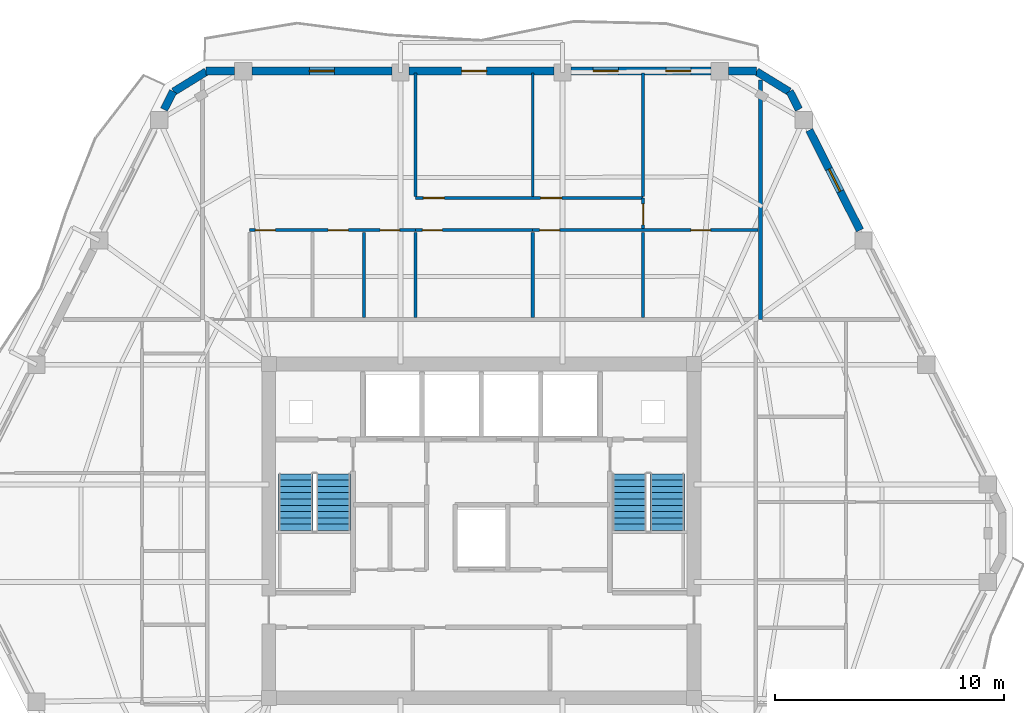
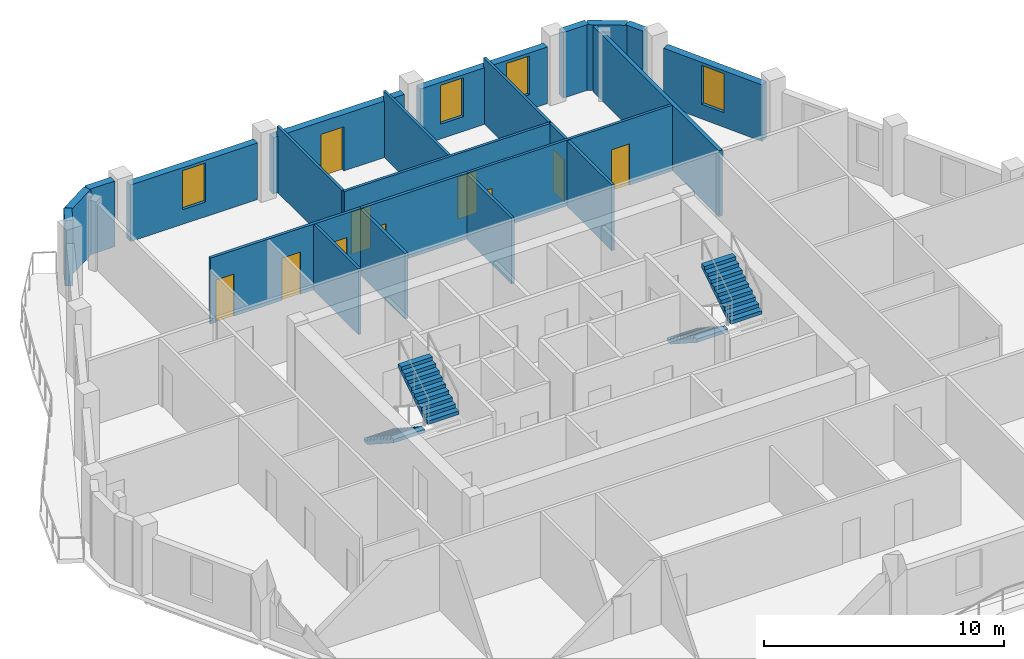
# One storey, part 7 of 9: 23 walls, 10 doors, 4 stair flights, 4 windows, 14 openings, 2 elements without a shape of their own.
"""IFC4 building model written with IfcOpenShell, lengths in metres."""

from ifc_helpers import new_model, si_unit, direction, frame, frame_2d, origin, place, context, subcontext, project, spatial, polyline, rectangle, outline, extrude, material, layer, layer_set, type_object, element, fill, aggregate, save


model = new_model("IFC4")

# Units and contexts
model_context = context("Model", 3, precision=1e-05, world=origin(), true_north=direction((0.0, 1.0)))
body_context = subcontext(model_context, "Body", "Model", "MODEL_VIEW")
ifc_project = project(units=[si_unit("LENGTHUNIT", "METRE"), si_unit("AREAUNIT", "SQUARE_METRE"), si_unit("VOLUMEUNIT", "CUBIC_METRE"), si_unit("PLANEANGLEUNIT", "RADIAN"), si_unit("MASSUNIT", "GRAM", prefix="KILO")], contexts=[model_context])

# Site, building, storey
site_placement = place(None, origin())
site = spatial("IfcSite", under=ifc_project, at=site_placement, CompositionType="ELEMENT")
building_placement = place(site_placement, origin())
building = spatial("IfcBuilding", under=site, at=building_placement, Name="Cinnabar Lancet Tower", CompositionType="ELEMENT")
storey_placement = place(building_placement, frame((0.0, 0.0, 207.39990234375)))
storey = spatial("IfcBuildingStorey", under=building, at=storey_placement, Name="L55", CompositionType="ELEMENT", Elevation=207.39990234375)

# Wall
ifc_material_1 = material(Name="Fire-rated twin-frame acoustic drywall", Category="gypsum")
ifc_layer_1 = layer(ifc_material_1, 0.179931640625)
ifc_layer_set_1 = layer_set([ifc_layer_1], Name="Fire-rated twin-frame acoustic drywall")
wall_type_1 = type_object("IfcWallType", Name="ARC-WL-PARTY-180", PredefinedType="PARTITIONING", material=ifc_layer_set_1)
wall_1_placement = place(storey_placement, frame((44.60009765625, 35.14990234375, 0.0), z_axis=(0.0, 0.0, 1.0), x_axis=(0.0, 1.0, 0.0)))
element("IfcWall", 1, at=wall_1_placement, inside=storey, type_object=wall_type_1, Name="PW-L55-NPTY-446", PredefinedType="PARTITIONING", context=body_context, shape_type="SweptSolid", body=[
    extrude(rectangle(XDim=10.482177734375, YDim=0.179931640625, at=frame_2d((5.2412109375, 0.0))), origin(), (0.0, 0.0, 1.0), 3.35009765625),
])

# Wall, openings, doors
ifc_material_2 = material(Name="Gypsum plasterboard stud partition", Category="gypsum")
ifc_layer_2 = layer(ifc_material_2, 0.125)
ifc_layer_set_2 = layer_set([ifc_layer_2], Name="Gypsum plasterboard stud partition")
wall_type_2 = type_object("IfcWallType", Name="ARC-WL-UNIT-125", PredefinedType="PARTITIONING", material=ifc_layer_set_2)
wall_2_placement = place(storey_placement, frame((34.64306640625, 39.06201171875, 0.0), z_axis=(0.0, 0.0, 1.0), x_axis=(1.0, 0.0, 0.0)))
wall_2 = element("IfcWall", 2, at=wall_2_placement, inside=storey, type_object=wall_type_2, Name="UW-L55-N01-SP2", PredefinedType="PARTITIONING", context=body_context, shape_type="SweptSolid", body=[
    extrude(rectangle(XDim=9.86181640625, YDim=0.125, at=frame_2d((4.930908203125, 0.0))), origin(), (0.0, 0.0, 1.0), 3.35009765625),
])
opening_1_placement = place(wall_2_placement, frame((6.919921875, 0.0, 0.0)))
opening_1 = element("IfcOpeningElement", 3, at=opening_1_placement, cuts=wall_2, Name="Opening BD-01", PredefinedType="OPENING", context=body_context, shape_type="SweptSolid", body=[
    extrude(rectangle(XDim=0.860107421875, YDim=2.10009765625, at=frame_2d((0.43017578125, 1.050048828125))), frame((0.0, 0.072509765625, 0.0), z_axis=(0.0, -1.0, 0.0), x_axis=(1.0, 0.0, 0.0)), (0.0, 0.0, 1.0), 0.14501953125),
])
opening_2_placement = place(wall_2_placement, frame((0.300048828125, 0.0, 0.0)))
opening_2 = element("IfcOpeningElement", 4, at=opening_2_placement, cuts=wall_2, Name="Opening RD-02", PredefinedType="OPENING", context=body_context, shape_type="SweptSolid", body=[
    extrude(rectangle(XDim=0.8798828125, YDim=2.14990234375, at=frame_2d((0.43994140625, 1.074951171875))), frame((0.0, 0.072509765625, 0.0), z_axis=(0.0, -1.0, 0.0), x_axis=(1.0, 0.0, 0.0)), (0.0, 0.0, 1.0), 0.14501953125),
])
ifc_material_3 = material(Name="Moisture-resistant timber bathroom door", Category="wood")
door_type_1 = type_object("IfcDoorType", Name="ARC-DR-BATH", OperationType="NOTDEFINED", PredefinedType="DOOR", material=ifc_material_3)
door_1_placement = place(opening_1_placement, origin())
door_1 = element("IfcDoor", 5, at=door_1_placement, inside=storey, type_object=door_type_1, Name="DR-L55-N01-ENS", OperationType="SINGLE_SWING_RIGHT", OverallHeight=2.10009765625, OverallWidth=0.860107421875, PredefinedType="DOOR", context=body_context, shape_type="SweptSolid", body=[
    extrude(rectangle(XDim=0.860107421875, YDim=2.10009765625, at=frame_2d((0.43017578125, 1.050048828125))), frame((0.0, 0.02490234375, 0.0), z_axis=(0.0, -1.0, 0.0), x_axis=(1.0, 0.0, 0.0)), (0.0, 0.0, 1.0), 0.050048828125),
])
fill(opening_1, door_1)
ifc_material_4 = material(Name="Engineered timber study door", Category="wood")
door_type_2 = type_object("IfcDoorType", Name="ARC-DR-STUDY", OperationType="NOTDEFINED", PredefinedType="DOOR", material=ifc_material_4)
door_2_placement = place(opening_2_placement, origin())
door_2 = element("IfcDoor", 6, at=door_2_placement, inside=storey, type_object=door_type_2, Name="DR-L55-N01-DRS", OperationType="SINGLE_SWING_LEFT", OverallHeight=2.14990234375, OverallWidth=0.8798828125, PredefinedType="DOOR", context=body_context, shape_type="SweptSolid", body=[
    extrude(rectangle(XDim=0.8798828125, YDim=2.14990234375, at=frame_2d((0.43994140625, 1.074951171875))), frame((0.0, 0.02490234375, 0.0), z_axis=(0.0, -1.0, 0.0), x_axis=(1.0, 0.0, 0.0)), (0.0, 0.0, 1.0), 0.050048828125),
])
fill(opening_2, door_2)

# Walls
wall_3_placement = place(storey_placement, frame((27.261962890625, 35.235107421875, 0.0), z_axis=(0.0, 0.0, 1.0), x_axis=(0.0, 1.0, 0.0)))
element("IfcWall", 7, at=wall_3_placement, inside=storey, type_object=wall_type_2, Name="UW-L55-N01-STD", PredefinedType="PARTITIONING", context=body_context, shape_type="SweptSolid", body=[
    extrude(rectangle(XDim=3.721923828125, YDim=0.125, at=frame_2d((1.86083984375, 0.0))), origin(), (0.0, 0.0, 1.0), 3.35009765625),
])
wall_4_placement = place(storey_placement, frame((29.513916015625, 40.527099609375, 0.0), z_axis=(0.0, 0.0, 1.0), x_axis=(0.0, 1.0, 0.0)))
element("IfcWall", 8, at=wall_4_placement, inside=storey, type_object=wall_type_2, Name="UW-L55-N01-BD2W", PredefinedType="PARTITIONING", context=body_context, shape_type="SweptSolid", body=[
    extrude(rectangle(XDim=5.407958984375, YDim=0.125, at=frame_2d((2.7041015625, 0.0))), origin(), (0.0, 0.0, 1.0), 3.35009765625),
])

# Wall, openings, doors
wall_5_placement = place(storey_placement, frame((29.513916015625, 40.4619140625, 0.0), z_axis=(0.0, 0.0, 1.0), x_axis=(1.0, 0.0, 0.0)))
wall_5 = element("IfcWall", 9, at=wall_5_placement, inside=storey, type_object=wall_type_2, Name="UW-L55-N01-HLN", PredefinedType="PARTITIONING", context=body_context, shape_type="SweptSolid", body=[
    extrude(rectangle(XDim=9.95703125, YDim=0.125, at=frame_2d((4.978515625, 0.0))), origin(), (0.0, 0.0, 1.0), 3.35009765625),
])
opening_3_placement = place(wall_5_placement, frame((0.35009765625, 0.0, 0.0)))
opening_3 = element("IfcOpeningElement", 10, at=opening_3_placement, cuts=wall_5, Name="Opening RD-01", PredefinedType="OPENING", context=body_context, shape_type="SweptSolid", body=[
    extrude(rectangle(XDim=0.919921875, YDim=2.14990234375, at=frame_2d((0.4599609375, 1.074951171875))), frame((0.0, 0.072509765625, 0.0), z_axis=(0.0, -1.0, 0.0), x_axis=(1.0, 0.0, 0.0)), (0.0, 0.0, 1.0), 0.14501953125),
])
opening_4_placement = place(wall_5_placement, frame((5.47900390625, 0.0, 0.0)))
opening_4 = element("IfcOpeningElement", 11, at=opening_4_placement, cuts=wall_5, Name="Opening RD-01", PredefinedType="OPENING", context=body_context, shape_type="SweptSolid", body=[
    extrude(rectangle(XDim=0.919921875, YDim=2.14990234375, at=frame_2d((0.4599609375, 1.074951171875))), frame((0.0, 0.072509765625, 0.0), z_axis=(0.0, -1.0, 0.0), x_axis=(1.0, 0.0, 0.0)), (0.0, 0.0, 1.0), 0.14501953125),
])
ifc_material_5 = material(Name="Engineered timber bedroom door", Category="wood")
door_type_3 = type_object("IfcDoorType", Name="ARC-DR-ROOM", OperationType="NOTDEFINED", PredefinedType="DOOR", material=ifc_material_5)
door_3_placement = place(opening_3_placement, origin())
door_3 = element("IfcDoor", 12, at=door_3_placement, inside=storey, type_object=door_type_3, Name="DR-L55-N01-BD2", OperationType="SINGLE_SWING_RIGHT", OverallHeight=2.14990234375, OverallWidth=0.919921875, PredefinedType="DOOR", context=body_context, shape_type="SweptSolid", body=[
    extrude(rectangle(XDim=0.919921875, YDim=2.14990234375, at=frame_2d((0.4599609375, 1.074951171875))), frame((0.0, 0.02490234375, 0.0), z_axis=(0.0, -1.0, 0.0), x_axis=(1.0, 0.0, 0.0)), (0.0, 0.0, 1.0), 0.050048828125),
])
fill(opening_3, door_3)
door_4_placement = place(opening_4_placement, origin())
door_4 = element("IfcDoor", 13, at=door_4_placement, inside=storey, type_object=door_type_3, Name="DR-L55-N01-BD3", OperationType="SINGLE_SWING_LEFT", OverallHeight=2.14990234375, OverallWidth=0.919921875, PredefinedType="DOOR", context=body_context, shape_type="SweptSolid", body=[
    extrude(rectangle(XDim=0.919921875, YDim=2.14990234375, at=frame_2d((0.4599609375, 1.074951171875))), frame((0.0, 0.02490234375, 0.0), z_axis=(0.0, -1.0, 0.0), x_axis=(1.0, 0.0, 0.0)), (0.0, 0.0, 1.0), 0.050048828125),
])
fill(opening_4, door_4)

# Wall, opening, door
wall_6_placement = place(storey_placement, frame((39.470947265625, 39.132080078125, 0.0), z_axis=(0.0, 0.0, 1.0), x_axis=(0.0, 1.0, 0.0)))
wall_6 = element("IfcWall", 14, at=wall_6_placement, inside=storey, type_object=wall_type_2, Name="UW-L55-N01-MBE", PredefinedType="PARTITIONING", context=body_context, shape_type="SweptSolid", body=[
    extrude(rectangle(XDim=1.329833984375, YDim=0.125, at=frame_2d((0.6650390625, 0.0))), origin(), (0.0, 0.0, 1.0), 3.35009765625),
])
opening_5_placement = place(wall_6_placement, frame((0.159912109375, 0.0, 0.0)))
opening_5 = element("IfcOpeningElement", 15, at=opening_5_placement, cuts=wall_6, Name="Opening RD-01", PredefinedType="OPENING", context=body_context, shape_type="SweptSolid", body=[
    extrude(rectangle(XDim=0.919921875, YDim=2.14990234375, at=frame_2d((0.4599609375, 1.074951171875))), frame((0.0, 0.072509765625, 0.0), z_axis=(0.0, -1.0, 0.0), x_axis=(1.0, 0.0, 0.0)), (0.0, 0.0, 1.0), 0.14501953125),
])
door_5_placement = place(opening_5_placement, origin())
door_5 = element("IfcDoor", 16, at=door_5_placement, inside=storey, type_object=door_type_3, Name="DR-L55-N01-MBD", OperationType="SINGLE_SWING_RIGHT", OverallHeight=2.14990234375, OverallWidth=0.919921875, PredefinedType="DOOR", context=body_context, shape_type="SweptSolid", body=[
    extrude(rectangle(XDim=0.919921875, YDim=2.14990234375, at=frame_2d((0.4599609375, 1.074951171875))), frame((0.0, 0.02490234375, 0.0), z_axis=(0.0, -1.0, 0.0), x_axis=(1.0, 0.0, 0.0)), (0.0, 0.0, 1.0), 0.050048828125),
])
fill(opening_5, door_5)

# Walls
for number, where, z_axis, x_axis, name in (
    (17, (34.64306640625, 40.527099609375, 0.0), (0.0, 0.0, 1.0), (0.0, 1.0, 0.0), "UW-L55-N01-MB2W"),
    (18, (39.470947265625, 40.527099609375, 0.0), (0.0, 0.0, 1.0), (0.0, 1.0, 0.0), "UW-L55-N01-B23W"),
):
    element("IfcWall", number, at=place(storey_placement, frame(where, z_axis=z_axis, x_axis=x_axis)), inside=storey, type_object=wall_type_2, Name=name, PredefinedType="PARTITIONING", context=body_context, shape_type="SweptSolid", body=[
        extrude(rectangle(XDim=5.407958984375, YDim=0.125, at=frame_2d((2.7041015625, 0.0))), origin(), (0.0, 0.0, 1.0), 3.35009765625),
    ])

# Wall, openings, doors
ifc_material_6 = material(Name="Moisture-resistant cement-board plumbing wall", Category="masonry")
ifc_layer_3 = layer(ifc_material_6, 0.139892578125)
ifc_layer_set_3 = layer_set([ifc_layer_3], Name="Moisture-resistant cement-board plumbing wall")
wall_type_3 = type_object("IfcWallType", Name="ARC-WL-WET-140", PredefinedType="PLUMBINGWALL", material=ifc_layer_set_3)
wall_7_placement = place(storey_placement, frame((22.25, 39.06201171875, 0.0), z_axis=(0.0, 0.0, 1.0), x_axis=(1.0, 0.0, 0.0)))
wall_7 = element("IfcWall", 19, at=wall_7_placement, inside=storey, type_object=wall_type_3, Name="UW-L55-N01-SPL", PredefinedType="PLUMBINGWALL", context=body_context, shape_type="SweptSolid", body=[
    extrude(rectangle(XDim=7.263916015625, YDim=0.139892578125, at=frame_2d((3.6318359375, 0.0))), origin(), (0.0, 0.0, 1.0), 3.35009765625),
])
opening_6_placement = place(wall_7_placement, frame((5.712890625, 0.0, 0.0)))
opening_6 = element("IfcOpeningElement", 20, at=opening_6_placement, cuts=wall_7, Name="Opening BD-01", PredefinedType="OPENING", context=body_context, shape_type="SweptSolid", body=[
    extrude(rectangle(XDim=0.860107421875, YDim=2.10009765625, at=frame_2d((0.43017578125, 1.050048828125))), frame((0.0, 0.079833984375, 0.0), z_axis=(0.0, -1.0, 0.0), x_axis=(1.0, 0.0, 0.0)), (0.0, 0.0, 1.0), 0.159912109375),
])
opening_7_placement = place(wall_7_placement, frame((0.260009765625, 0.0, 0.0)))
opening_7 = element("IfcOpeningElement", 21, at=opening_7_placement, cuts=wall_7, Name="Opening RD-02", PredefinedType="OPENING", context=body_context, shape_type="SweptSolid", body=[
    extrude(rectangle(XDim=0.8798828125, YDim=2.14990234375, at=frame_2d((0.43994140625, 1.074951171875))), frame((0.0, 0.079833984375, 0.0), z_axis=(0.0, -1.0, 0.0), x_axis=(1.0, 0.0, 0.0)), (0.0, 0.0, 1.0), 0.159912109375),
])
opening_8_placement = place(wall_7_placement, frame((3.446044921875, 0.0, 0.0)))
opening_8 = element("IfcOpeningElement", 22, at=opening_8_placement, cuts=wall_7, Name="Opening RD-02", PredefinedType="OPENING", context=body_context, shape_type="SweptSolid", body=[
    extrude(rectangle(XDim=0.8798828125, YDim=2.14990234375, at=frame_2d((0.43994140625, 1.074951171875))), frame((0.0, 0.079833984375, 0.0), z_axis=(0.0, -1.0, 0.0), x_axis=(1.0, 0.0, 0.0)), (0.0, 0.0, 1.0), 0.159912109375),
])
door_6_placement = place(opening_6_placement, origin())
door_6 = element("IfcDoor", 23, at=door_6_placement, inside=storey, type_object=door_type_1, Name="DR-L55-N01-BTH", OperationType="SINGLE_SWING_RIGHT", OverallHeight=2.10009765625, OverallWidth=0.860107421875, PredefinedType="DOOR", context=body_context, shape_type="SweptSolid", body=[
    extrude(rectangle(XDim=0.860107421875, YDim=2.10009765625, at=frame_2d((0.43017578125, 1.050048828125))), frame((0.0, 0.02490234375, 0.0), z_axis=(0.0, -1.0, 0.0), x_axis=(1.0, 0.0, 0.0)), (0.0, 0.0, 1.0), 0.050048828125),
])
fill(opening_6, door_6)
door_7_placement = place(opening_7_placement, origin())
door_7 = element("IfcDoor", 24, at=door_7_placement, inside=storey, type_object=door_type_2, Name="DR-L55-N01-KIT", OperationType="SINGLE_SWING_RIGHT", OverallHeight=2.14990234375, OverallWidth=0.8798828125, PredefinedType="DOOR", context=body_context, shape_type="SweptSolid", body=[
    extrude(rectangle(XDim=0.8798828125, YDim=2.14990234375, at=frame_2d((0.43994140625, 1.074951171875))), frame((0.0, 0.02490234375, 0.0), z_axis=(0.0, -1.0, 0.0), x_axis=(1.0, 0.0, 0.0)), (0.0, 0.0, 1.0), 0.050048828125),
])
fill(opening_7, door_7)
door_8_placement = place(opening_8_placement, origin())
door_8 = element("IfcDoor", 25, at=door_8_placement, inside=storey, type_object=door_type_2, Name="DR-L55-N01-STD", OperationType="SINGLE_SWING_LEFT", OverallHeight=2.14990234375, OverallWidth=0.8798828125, PredefinedType="DOOR", context=body_context, shape_type="SweptSolid", body=[
    extrude(rectangle(XDim=0.8798828125, YDim=2.14990234375, at=frame_2d((0.43994140625, 1.074951171875))), frame((0.0, 0.02490234375, 0.0), z_axis=(0.0, -1.0, 0.0), x_axis=(1.0, 0.0, 0.0)), (0.0, 0.0, 1.0), 0.050048828125),
])
fill(opening_8, door_8)

# Wall, opening, door
wall_8_placement = place(storey_placement, frame((29.513916015625, 39.06201171875, 0.0), z_axis=(0.0, 0.0, 1.0), x_axis=(1.0, 0.0, 0.0)))
wall_8 = element("IfcWall", 26, at=wall_8_placement, inside=storey, type_object=wall_type_3, Name="UW-L55-N01-SPM", PredefinedType="PLUMBINGWALL", context=body_context, shape_type="SweptSolid", body=[
    extrude(rectangle(XDim=5.129150390625, YDim=0.139892578125, at=frame_2d((2.564453125, 0.0))), origin(), (0.0, 0.0, 1.0), 3.35009765625),
])
opening_9_placement = place(wall_8_placement, frame((0.300048828125, 0.0, 0.0)))
opening_9 = element("IfcOpeningElement", 27, at=opening_9_placement, cuts=wall_8, Name="Opening RD-02", PredefinedType="OPENING", context=body_context, shape_type="SweptSolid", body=[
    extrude(rectangle(XDim=0.8798828125, YDim=2.14990234375, at=frame_2d((0.43994140625, 1.074951171875))), frame((0.0, 0.079833984375, 0.0), z_axis=(0.0, -1.0, 0.0), x_axis=(1.0, 0.0, 0.0)), (0.0, 0.0, 1.0), 0.159912109375),
])
door_9_placement = place(opening_9_placement, origin())
door_9 = element("IfcDoor", 28, at=door_9_placement, inside=storey, type_object=door_type_2, Name="DR-L55-N01-UTL", OperationType="SINGLE_SWING_LEFT", OverallHeight=2.14990234375, OverallWidth=0.8798828125, PredefinedType="DOOR", context=body_context, shape_type="SweptSolid", body=[
    extrude(rectangle(XDim=0.8798828125, YDim=2.14990234375, at=frame_2d((0.43994140625, 1.074951171875))), frame((0.0, 0.02490234375, 0.0), z_axis=(0.0, -1.0, 0.0), x_axis=(1.0, 0.0, 0.0)), (0.0, 0.0, 1.0), 0.050048828125),
])
fill(opening_9, door_9)

# Walls
for number, where, z_axis, x_axis, name in (
    (29, (29.513916015625, 35.235107421875, 0.0), (0.0, 0.0, 1.0), (0.0, 1.0, 0.0), "UW-L55-N01-ENSW"),
    (30, (34.64306640625, 35.235107421875, 0.0), (0.0, 0.0, 1.0), (0.0, 1.0, 0.0), "UW-L55-N01-ENSE"),
    (31, (39.470947265625, 35.235107421875, 0.0), (0.0, 0.0, 1.0), (0.0, 1.0, 0.0), "UW-L55-N01-UT3"),
):
    element("IfcWall", number, at=place(storey_placement, frame(where, z_axis=z_axis, x_axis=x_axis)), inside=storey, type_object=wall_type_3, Name=name, PredefinedType="PLUMBINGWALL", context=body_context, shape_type="SweptSolid", body=[
        extrude(rectangle(XDim=3.721923828125, YDim=0.139892578125, at=frame_2d((1.86083984375, 0.0))), origin(), (0.0, 0.0, 1.0), 3.35009765625),
    ])
ifc_material_7 = material(Name="Cinnabar red clay brick", Category="masonry")
ifc_layer_4 = layer(ifc_material_7, 0.340087890625)
ifc_layer_set_4 = layer_set([ifc_layer_4], Name="Cinnabar red clay brick")
wall_type_4 = type_object("IfcWallType", Name="ENV-WL-BRK-RED-340", PredefinedType="STANDARD", material=ifc_layer_set_4)
for number, where, z_axis, x_axis, name in (
    (32, (45.862060546875, 45.115966796875, 0.0), (0.0, 0.0, 1.0), (-0.851713271379, 0.524008113828, 0.0), "L55 Chamfered Corner Brick Pier 4.1"),
    (33, (20.366943359375, 45.9951171875, 0.0), (0.0, 0.0, 1.0), (-0.851713271379, -0.524008113828, 0.0), "L55 Chamfered Corner Brick Pier 5.1"),
):
    element("IfcWall", number, at=place(storey_placement, frame(where, z_axis=z_axis, x_axis=x_axis)), inside=storey, type_object=wall_type_4, Name=name, PredefinedType="STANDARD", context=body_context, shape_type="SweptSolid", body=[
        extrude(rectangle(XDim=1.677734375, YDim=0.340087890625, at=frame_2d((0.8388671875, 0.0))), origin(), (0.0, 0.0, 1.0), 3.35009765625),
    ])

# Wall, opening, window
wall_9_placement = place(storey_placement, frame((48.95703125, 39.054931640625, 0.0), z_axis=(0.0, 0.0, 1.0), x_axis=(-0.451524246964, 0.89225884944, 0.0)))
wall_9 = element("IfcWall", 34, at=wall_9_placement, inside=storey, type_object=wall_type_4, Name="L55 Face 3 Masonry Bay Wall 4", PredefinedType="STANDARD", context=body_context, shape_type="SweptSolid", body=[
    extrude(rectangle(XDim=4.91015625, YDim=0.340087890625, at=frame_2d((2.455078125, 0.0))), origin(), (0.0, 0.0, 1.0), 2.883056640625),
])
opening_10_placement = place(wall_9_placement, frame((1.905029296875, 0.0, 0.75)))
opening_10 = element("IfcOpeningElement", 35, at=opening_10_placement, cuts=wall_9, Name="Opening WN-04", PredefinedType="OPENING", context=body_context, shape_type="SweptSolid", body=[
    extrude(rectangle(XDim=1.10009765625, YDim=1.98291015625, at=frame_2d((0.550048828125, 0.991455078125))), frame((0.0, 0.179931640625, 0.0), z_axis=(0.0, -1.0, 0.0), x_axis=(1.0, 0.0, 0.0)), (0.0, 0.0, 1.0), 0.360107421875),
])
ifc_material_8 = material(Name="Thermally broken bronze-anodized aluminium tall lancet window", Category="aluminium")
window_type = type_object("IfcWindowType", Name="ENV-WN-LANCET-1100", PartitioningType="SINGLE_PANEL", PredefinedType="WINDOW", material=ifc_material_8)
window_1_placement = place(opening_10_placement, origin())
window_1 = element("IfcWindow", 36, at=window_1_placement, inside=storey, type_object=window_type, Name="L55 Face 3 Gothic Lancet Window 4", OverallHeight=1.98291015625, OverallWidth=1.10009765625, PartitioningType="SINGLE_PANEL", PredefinedType="WINDOW", context=body_context, shape_type="SweptSolid", body=[
    extrude(rectangle(XDim=1.10009765625, YDim=1.98291015625, at=frame_2d((0.550048828125, 0.991455078125))), frame((0.0, 0.030029296875, 0.0), z_axis=(0.0, -1.0, 0.0), x_axis=(1.0, 0.0, 0.0)), (0.0, 0.0, 1.0), 0.06005859375),
])
fill(opening_10, window_1)

# Walls
wall_10_placement = place(storey_placement, frame((46.283935546875, 44.337890625, 0.0), z_axis=(0.0, 0.0, 1.0), x_axis=(-0.451487459758, 0.892277464515, 0.0)))
element("IfcWall", 37, at=wall_10_placement, inside=storey, type_object=wall_type_4, Name="L55 Face 3 Masonry Bay Wall 5", PredefinedType="STANDARD", context=body_context, shape_type="SweptSolid", body=[
    extrude(rectangle(XDim=0.89013671875, YDim=0.340087890625, at=frame_2d((0.445068359375, 0.0))), origin(), (0.0, 0.0, 1.0), 3.35009765625),
])
wall_11_placement = place(storey_placement, frame((44.43798828125, 46.02001953125, 0.0), z_axis=(0.0, 0.0, 1.0), x_axis=(-1.0, 0.0, 0.0)))
element("IfcWall", 38, at=wall_11_placement, inside=storey, type_object=wall_type_4, Name="L55 Face 4 Masonry Bay Wall 1", PredefinedType="STANDARD", context=body_context, shape_type="SweptSolid", body=[
    extrude(rectangle(XDim=1.238037109375, YDim=0.340087890625, at=frame_2d((0.619140625, 0.0))), origin(), (0.0, 0.0, 1.0), 3.35009765625),
])

# Wall, openings, windows
wall_12_placement = place(storey_placement, frame((42.44189453125, 46.02001953125, 0.0), z_axis=(0.0, 0.0, 1.0), x_axis=(-1.0, 0.0, 0.0)))
wall_12 = element("IfcWall", 39, at=wall_12_placement, inside=storey, type_object=wall_type_4, Name="L55 Face 4 Masonry Bay Wall 2", PredefinedType="STANDARD", context=body_context, shape_type="SweptSolid", body=[
    extrude(rectangle(XDim=6.119873046875, YDim=0.340087890625, at=frame_2d((3.06005859375, 0.0))), origin(), (0.0, 0.0, 1.0), 2.883056640625),
])
opening_11_placement = place(wall_12_placement, frame((0.87890625, 0.0, 0.75)))
opening_11 = element("IfcOpeningElement", 40, at=opening_11_placement, cuts=wall_12, Name="Opening WN-04", PredefinedType="OPENING", context=body_context, shape_type="SweptSolid", body=[
    extrude(rectangle(XDim=1.10009765625, YDim=1.98291015625, at=frame_2d((0.550048828125, 0.991455078125))), frame((0.0, 0.179931640625, 0.0), z_axis=(0.0, -1.0, 0.0), x_axis=(1.0, 0.0, 0.0)), (0.0, 0.0, 1.0), 0.360107421875),
])
opening_12_placement = place(wall_12_placement, frame((4.052001953125, 0.0, 0.75)))
opening_12 = element("IfcOpeningElement", 41, at=opening_12_placement, cuts=wall_12, Name="Opening WN-04", PredefinedType="OPENING", context=body_context, shape_type="SweptSolid", body=[
    extrude(rectangle(XDim=1.10009765625, YDim=1.98291015625, at=frame_2d((0.550048828125, 0.991455078125))), frame((0.0, 0.179931640625, 0.0), z_axis=(0.0, -1.0, 0.0), x_axis=(1.0, 0.0, 0.0)), (0.0, 0.0, 1.0), 0.360107421875),
])
window_2_placement = place(opening_11_placement, origin())
window_2 = element("IfcWindow", 42, at=window_2_placement, inside=storey, type_object=window_type, Name="L55 Face 4 Gothic Lancet Window 2", OverallHeight=1.98291015625, OverallWidth=1.10009765625, PartitioningType="SINGLE_PANEL", PredefinedType="WINDOW", context=body_context, shape_type="SweptSolid", body=[
    extrude(rectangle(XDim=1.10009765625, YDim=1.98291015625, at=frame_2d((0.550048828125, 0.991455078125))), frame((0.0, 0.030029296875, 0.0), z_axis=(0.0, -1.0, 0.0), x_axis=(1.0, 0.0, 0.0)), (0.0, 0.0, 1.0), 0.06005859375),
])
fill(opening_11, window_2)
window_3_placement = place(opening_12_placement, origin())
window_3 = element("IfcWindow", 43, at=window_3_placement, inside=storey, type_object=window_type, Name="L55 Split-Bay Gothic Lancet Window 189", OverallHeight=1.98291015625, OverallWidth=1.10009765625, PartitioningType="SINGLE_PANEL", PredefinedType="WINDOW", context=body_context, shape_type="SweptSolid", body=[
    extrude(rectangle(XDim=1.10009765625, YDim=1.98291015625, at=frame_2d((0.550048828125, 0.991455078125))), frame((0.0, 0.030029296875, 0.0), z_axis=(0.0, -1.0, 0.0), x_axis=(1.0, 0.0, 0.0)), (0.0, 0.0, 1.0), 0.06005859375),
])
fill(opening_12, window_3)

# Wall, opening, door
wall_13_placement = place(storey_placement, frame((35.56396484375, 46.02001953125, 0.0), z_axis=(0.0, 0.0, 1.0), x_axis=(-1.0, 0.0, 0.0)))
wall_13 = element("IfcWall", 44, at=wall_13_placement, inside=storey, type_object=wall_type_4, Name="L55 Face 4 Masonry Bay Wall 3", PredefinedType="STANDARD", context=body_context, shape_type="SweptSolid", body=[
    extrude(rectangle(XDim=6.327880859375, YDim=0.340087890625, at=frame_2d((3.1640625, 0.0))), origin(), (0.0, 0.0, 1.0), 2.883056640625),
])
opening_13_placement = place(wall_13_placement, frame((2.93603515625, 0.0, 0.0)))
opening_13 = element("IfcOpeningElement", 45, at=opening_13_placement, cuts=wall_13, Name="Opening TD-01", PredefinedType="OPENING", context=body_context, shape_type="SweptSolid", body=[
    extrude(rectangle(XDim=1.10009765625, YDim=2.25, at=frame_2d((0.550048828125, 1.125))), frame((0.0, 0.179931640625, 0.0), z_axis=(0.0, -1.0, 0.0), x_axis=(1.0, 0.0, 0.0)), (0.0, 0.0, 1.0), 0.360107421875),
])
ifc_material_9 = material(Name="Thermally broken low-E glazed balcony terrace door", Category="wood")
door_type_4 = type_object("IfcDoorType", Name="ARC-DR-BALC", OperationType="NOTDEFINED", PredefinedType="DOOR", material=ifc_material_9)
door_10_placement = place(opening_13_placement, origin())
door_10 = element("IfcDoor", 46, at=door_10_placement, inside=storey, type_object=door_type_4, Name="L55 Face 4 Glazed Terrace Door", OperationType="SINGLE_SWING_LEFT", OverallHeight=2.25, OverallWidth=1.10009765625, PredefinedType="DOOR", context=body_context, shape_type="SweptSolid", body=[
    extrude(rectangle(XDim=1.10009765625, YDim=2.25, at=frame_2d((0.550048828125, 1.125))), frame((0.0, 0.02490234375, 0.0), z_axis=(0.0, -1.0, 0.0), x_axis=(1.0, 0.0, 0.0)), (0.0, 0.0, 1.0), 0.050048828125),
])
fill(opening_13, door_10)

# Wall, opening, window
wall_14_placement = place(storey_placement, frame((28.47802734375, 46.02001953125, 0.0), z_axis=(0.0, 0.0, 1.0), x_axis=(-1.0, 0.0, 0.0)))
wall_14 = element("IfcWall", 47, at=wall_14_placement, inside=storey, type_object=wall_type_4, Name="L55 Face 4 Masonry Bay Wall 4", PredefinedType="STANDARD", context=body_context, shape_type="SweptSolid", body=[
    extrude(rectangle(XDim=6.1201171875, YDim=0.340087890625, at=frame_2d((3.06005859375, 0.0))), origin(), (0.0, 0.0, 1.0), 2.883056640625),
])
opening_14_placement = place(wall_14_placement, frame((2.510009765625, 0.0, 0.75)))
opening_14 = element("IfcOpeningElement", 48, at=opening_14_placement, cuts=wall_14, Name="Opening WN-04", PredefinedType="OPENING", context=body_context, shape_type="SweptSolid", body=[
    extrude(rectangle(XDim=1.10009765625, YDim=1.98291015625, at=frame_2d((0.550048828125, 0.991455078125))), frame((0.0, 0.179931640625, 0.0), z_axis=(0.0, -1.0, 0.0), x_axis=(1.0, 0.0, 0.0)), (0.0, 0.0, 1.0), 0.360107421875),
])
window_4_placement = place(opening_14_placement, origin())
window_4 = element("IfcWindow", 49, at=window_4_placement, inside=storey, type_object=window_type, Name="L55 Face 4 Gothic Lancet Window 4", OverallHeight=1.98291015625, OverallWidth=1.10009765625, PartitioningType="SINGLE_PANEL", PredefinedType="WINDOW", context=body_context, shape_type="SweptSolid", body=[
    extrude(rectangle(XDim=1.10009765625, YDim=1.98291015625, at=frame_2d((0.550048828125, 0.991455078125))), frame((0.0, 0.030029296875, 0.0), z_axis=(0.0, -1.0, 0.0), x_axis=(1.0, 0.0, 0.0)), (0.0, 0.0, 1.0), 0.06005859375),
])
fill(opening_14, window_4)

# Walls
wall_15_placement = place(storey_placement, frame((21.60009765625, 46.02001953125, 0.0), z_axis=(0.0, 0.0, 1.0), x_axis=(-1.0, 0.0, 0.0)))
element("IfcWall", 50, at=wall_15_placement, inside=storey, type_object=wall_type_4, Name="L55 Face 4 Masonry Bay Wall 5", PredefinedType="STANDARD", context=body_context, shape_type="SweptSolid", body=[
    extrude(rectangle(XDim=1.238037109375, YDim=0.340087890625, at=frame_2d((0.619140625, 0.0))), origin(), (0.0, 0.0, 1.0), 3.35009765625),
])
wall_16_placement = place(storey_placement, frame((18.91796875, 45.132080078125, 0.0), z_axis=(0.0, 0.0, 1.0), x_axis=(-0.451487459758, -0.892277464515, 0.0)))
element("IfcWall", 51, at=wall_16_placement, inside=storey, type_object=wall_type_4, Name="L55 Face 5 Masonry Bay Wall 1", PredefinedType="STANDARD", context=body_context, shape_type="SweptSolid", body=[
    extrude(rectangle(XDim=0.89013671875, YDim=0.340087890625, at=frame_2d((0.445068359375, 0.0))), origin(), (0.0, 0.0, 1.0), 3.35009765625),
])

# Stair, stair flights
ifc_material_10 = material(Name="Concrete C40/50", Category="concrete")
stair_type = type_object("IfcStairType", Name="ST-CORE", PredefinedType="HALF_TURN_STAIR", material=ifc_material_10)
stair_1_placement = place(storey_placement, origin())
stair_1 = element("IfcStair", 52, at=stair_1_placement, inside=storey, type_object=stair_type, Name="L55 ST-1", PredefinedType="HALF_TURN_STAIR")
ifc_material_11 = material(Name="Concrete C40/50", Category="concrete")
stair_flight_type = type_object("IfcStairFlightType", Name="FLIGHT-CORE", PredefinedType="STRAIGHT", material=ifc_material_11)
stair_flight_1_placement = place(storey_placement, frame((24.27490234375, 28.39990234375, 0.0), z_axis=(0.0, 0.0, 1.0), x_axis=(0.0, -1.0, 0.0)))
stair_flight_1 = element("IfcStairFlight", 53, at=stair_flight_1_placement, type_object=stair_flight_type, Name="ST-1 flight 1", NumberOfRisers=10, NumberOfTreads=9, PredefinedType="STRAIGHT", RiserHeight=0.1775, TreadLength=0.275, context=body_context, shape_type="SweptSolid", body=[
    extrude(outline(polyline([(0.0, 0.0), (0.0, 0.177490234375), (0.27490234375, 0.177490234375), (0.27490234375, 0.35498046875), (0.550048828125, 0.35498046875), (0.550048828125, 0.532470703125), (0.824951171875, 0.532470703125), (0.824951171875, 0.7099609375), (1.10009765625, 0.7099609375), (1.10009765625, 0.887451171875), (1.375, 0.887451171875), (1.375, 1.06494140625), (1.64990234375, 1.06494140625), (1.64990234375, 1.242431640625), (1.925048828125, 1.242431640625), (1.925048828125, 1.419921875), (2.199951171875, 1.419921875), (2.199951171875, 1.597412109375), (2.47509765625, 1.597412109375), (2.47509765625, 1.77490234375), (2.47509765625, 1.419189453125), (0.2763671875, 0.0), (0.0, 0.0)])), frame((0.0, 0.75, 0.0), z_axis=(0.0, -1.0, 0.0), x_axis=(1.0, 0.0, 0.0)), (0.0, 0.0, 1.0), 1.5),
])
stair_flight_2_placement = place(storey_placement, frame((25.925048828125, 25.925048828125, 1.775146484375), z_axis=(0.0, 0.0, 1.0), x_axis=(0.0, 1.0, 0.0)))
stair_flight_2 = element("IfcStairFlight", 54, at=stair_flight_2_placement, type_object=stair_flight_type, Name="ST-1 flight 2", NumberOfRisers=10, NumberOfTreads=9, PredefinedType="STRAIGHT", RiserHeight=0.1775, TreadLength=0.275, context=body_context, shape_type="SweptSolid", body=[
    extrude(outline(polyline([(0.0, 0.0), (0.0, 0.177490234375), (0.27490234375, 0.177490234375), (0.27490234375, 0.35498046875), (0.550048828125, 0.35498046875), (0.550048828125, 0.532470703125), (0.824951171875, 0.532470703125), (0.824951171875, 0.7099609375), (1.10009765625, 0.7099609375), (1.10009765625, 0.887451171875), (1.375, 0.887451171875), (1.375, 1.06494140625), (1.64990234375, 1.06494140625), (1.64990234375, 1.242431640625), (1.925048828125, 1.242431640625), (1.925048828125, 1.419921875), (2.199951171875, 1.419921875), (2.199951171875, 1.597412109375), (2.47509765625, 1.597412109375), (2.47509765625, 1.77490234375), (2.47509765625, 1.419189453125), (0.2763671875, 0.0), (0.0, 0.0)])), frame((0.0, 0.75, 0.0), z_axis=(0.0, -1.0, 0.0), x_axis=(1.0, 0.0, 0.0)), (0.0, 0.0, 1.0), 1.5),
])
aggregate(stair_1, [stair_flight_1, stair_flight_2])

stair_2_placement = place(storey_placement, origin())
stair_2 = element("IfcStair", 55, at=stair_2_placement, inside=storey, type_object=stair_type, Name="L55 ST-2", PredefinedType="HALF_TURN_STAIR")
stair_flight_3_placement = place(storey_placement, frame((38.875, 28.39990234375, 0.0), z_axis=(0.0, 0.0, 1.0), x_axis=(0.0, -1.0, 0.0)))
stair_flight_3 = element("IfcStairFlight", 56, at=stair_flight_3_placement, type_object=stair_flight_type, Name="ST-2 flight 1", NumberOfRisers=10, NumberOfTreads=9, PredefinedType="STRAIGHT", RiserHeight=0.1775, TreadLength=0.275, context=body_context, shape_type="SweptSolid", body=[
    extrude(outline(polyline([(0.0, 0.0), (0.0, 0.177490234375), (0.27490234375, 0.177490234375), (0.27490234375, 0.35498046875), (0.550048828125, 0.35498046875), (0.550048828125, 0.532470703125), (0.824951171875, 0.532470703125), (0.824951171875, 0.7099609375), (1.10009765625, 0.7099609375), (1.10009765625, 0.887451171875), (1.375, 0.887451171875), (1.375, 1.06494140625), (1.64990234375, 1.06494140625), (1.64990234375, 1.242431640625), (1.925048828125, 1.242431640625), (1.925048828125, 1.419921875), (2.199951171875, 1.419921875), (2.199951171875, 1.597412109375), (2.47509765625, 1.597412109375), (2.47509765625, 1.77490234375), (2.47509765625, 1.419189453125), (0.2763671875, 0.0), (0.0, 0.0)])), frame((0.0, 0.75, 0.0), z_axis=(0.0, -1.0, 0.0), x_axis=(1.0, 0.0, 0.0)), (0.0, 0.0, 1.0), 1.5),
])
stair_flight_4_placement = place(storey_placement, frame((40.52490234375, 25.925048828125, 1.775146484375), z_axis=(0.0, 0.0, 1.0), x_axis=(0.0, 1.0, 0.0)))
stair_flight_4 = element("IfcStairFlight", 57, at=stair_flight_4_placement, type_object=stair_flight_type, Name="ST-2 flight 2", NumberOfRisers=10, NumberOfTreads=9, PredefinedType="STRAIGHT", RiserHeight=0.1775, TreadLength=0.275, context=body_context, shape_type="SweptSolid", body=[
    extrude(outline(polyline([(0.0, 0.0), (0.0, 0.177490234375), (0.27490234375, 0.177490234375), (0.27490234375, 0.35498046875), (0.550048828125, 0.35498046875), (0.550048828125, 0.532470703125), (0.824951171875, 0.532470703125), (0.824951171875, 0.7099609375), (1.10009765625, 0.7099609375), (1.10009765625, 0.887451171875), (1.375, 0.887451171875), (1.375, 1.06494140625), (1.64990234375, 1.06494140625), (1.64990234375, 1.242431640625), (1.925048828125, 1.242431640625), (1.925048828125, 1.419921875), (2.199951171875, 1.419921875), (2.199951171875, 1.597412109375), (2.47509765625, 1.597412109375), (2.47509765625, 1.77490234375), (2.47509765625, 1.419189453125), (0.2763671875, 0.0), (0.0, 0.0)])), frame((0.0, 0.75, 0.0), z_axis=(0.0, -1.0, 0.0), x_axis=(1.0, 0.0, 0.0)), (0.0, 0.0, 1.0), 1.5),
])
aggregate(stair_2, [stair_flight_3, stair_flight_4])

save(model, "model.ifc")
